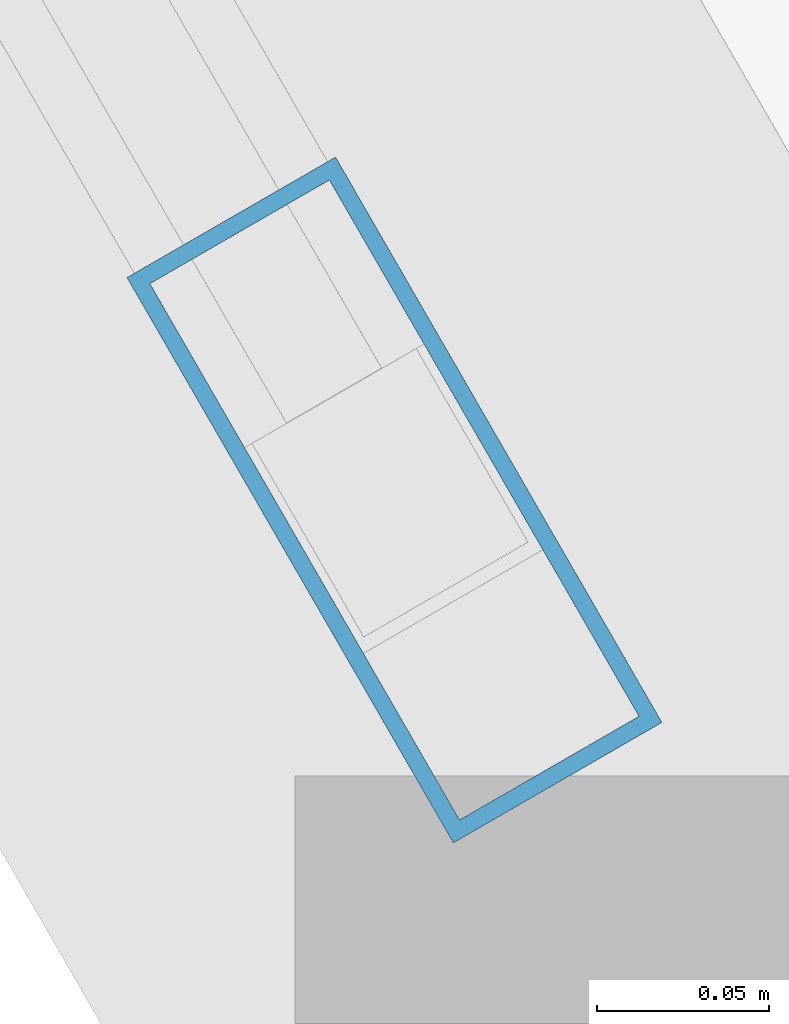
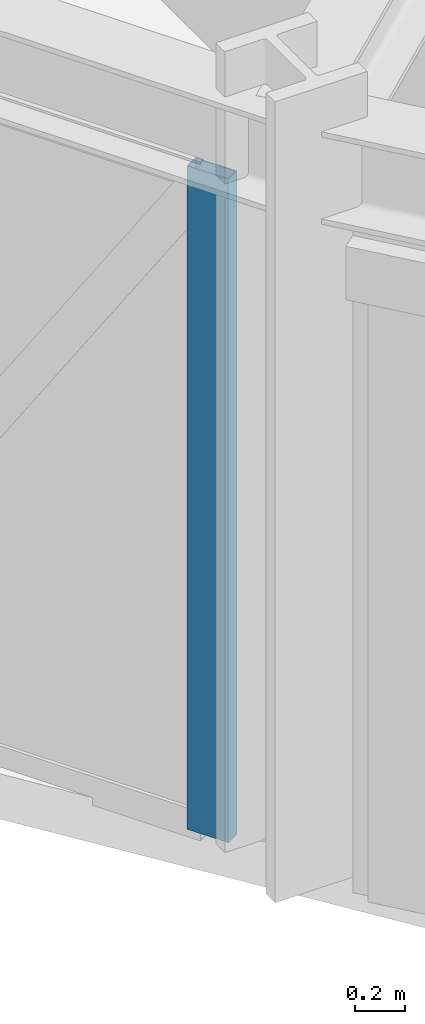
# One storey, part 2 of 22: 1 member, 1 element without a shape of its own.
"""IFC4 building model written with IfcOpenShell, lengths in metres."""

from ifc_helpers import new_model, si_unit, derived_unit, direction, frame, origin, origin_2d, place, context, subcontext, project, spatial, hollow_rectangle, extrude, source, transform, mapped, material, layer, layer_set, material_profile, profile_set, type_object, element, aggregate, save


model = new_model("IFC4")

# Units and contexts
model_context = context("Model", 3, precision=1e-05, world=origin(), true_north=direction((0.0, 1.0)))
body_context = subcontext(model_context, "Body", "Model", "MODEL_VIEW")
ifc_project = project(units=[si_unit("LENGTHUNIT", "METRE"), si_unit("AREAUNIT", "SQUARE_METRE"), si_unit("VOLUMEUNIT", "CUBIC_METRE"), si_unit("PLANEANGLEUNIT", "RADIAN"), si_unit("MASSUNIT", "GRAM", prefix="KILO"), derived_unit("THERMALTRANSMITTANCEUNIT", [(si_unit("POWERUNIT", "WATT"), 1), (si_unit("LENGTHUNIT", "METRE"), -2), (si_unit("THERMODYNAMICTEMPERATUREUNIT", "KELVIN"), -1)])], contexts=[model_context])

# Site, building, storey
site_placement = place(None, origin())
site = spatial("IfcSite", under=ifc_project, at=site_placement, CompositionType="ELEMENT")
building_placement = place(site_placement, origin())
building = spatial("IfcBuilding", under=site, at=building_placement, Name="Korsvarv Bourse and Concert Hall", CompositionType="ELEMENT")
storey_placement = place(building_placement, frame((0.0, 0.0, 51.300048828125)))
storey = spatial("IfcBuildingStorey", under=building, at=storey_placement, Name="L12", CompositionType="ELEMENT", Elevation=51.300048828125)

# Curtain wall, member
ifc_material_1 = material(Name="Anodised aluminium and triple low-E glazing", Category="glass")
ifc_layer = layer(ifc_material_1, 0.219970703125)
ifc_layer_set = layer_set([ifc_layer], Name="Anodised aluminium and triple low-E glazing")
curtain_wall_type = type_object("IfcCurtainWallType", Name="CW-SYS-1", PredefinedType="NOTDEFINED", material=ifc_layer_set)
curtain_wall_placement = place(storey_placement, origin())
curtain_wall = element("IfcCurtainWall", 1, at=curtain_wall_placement, inside=storey, type_object=curtain_wall_type, Name="L12 CW1 curtain wall CW-L12-F07", PredefinedType="NOTDEFINED")
ifc_material_2 = material(Name="Extruded aluminium EN AW-6063 T66", Category="aluminium")
ifc_material_profile = material_profile(ifc_material_2, hollow_rectangle(XDim=0.070068359375, YDim=0.18994140625, WallThickness=0.0048828125, at=origin_2d()), Name="ALU-M 70x190")
ifc_profile_set = profile_set([ifc_material_profile], Name="Extruded aluminium EN AW-6063 T66")
member_type = type_object("IfcMemberType", Name="CWM-190", PredefinedType="MULLION", material=ifc_profile_set)
shared_shape = source(origin(), body_context, "Body", "SweptSolid", [
    extrude(hollow_rectangle(XDim=0.070068359375, YDim=0.18994140625, WallThickness=0.0048828125, at=origin_2d()), origin(), (0.0, 0.0, 1.0), 3.22998046875),
])
member_placement = place(storey_placement, frame((21.618408203125, 19.130859375, 0.0), z_axis=(0.0, 0.0, 1.0), x_axis=(0.866025499647, 0.499999833962, 0.0)))
member = element("IfcMember", 2, at=member_placement, type_object=member_type, Name="CW1 mullion 8", PredefinedType="MULLION", context=body_context, shape_type="MappedRepresentation", body=[
    mapped(shared_shape, transform((0.0, 0.0, 0.0), scale=1.0)),
])
aggregate(curtain_wall, [member])

save(model, "model.ifc")
